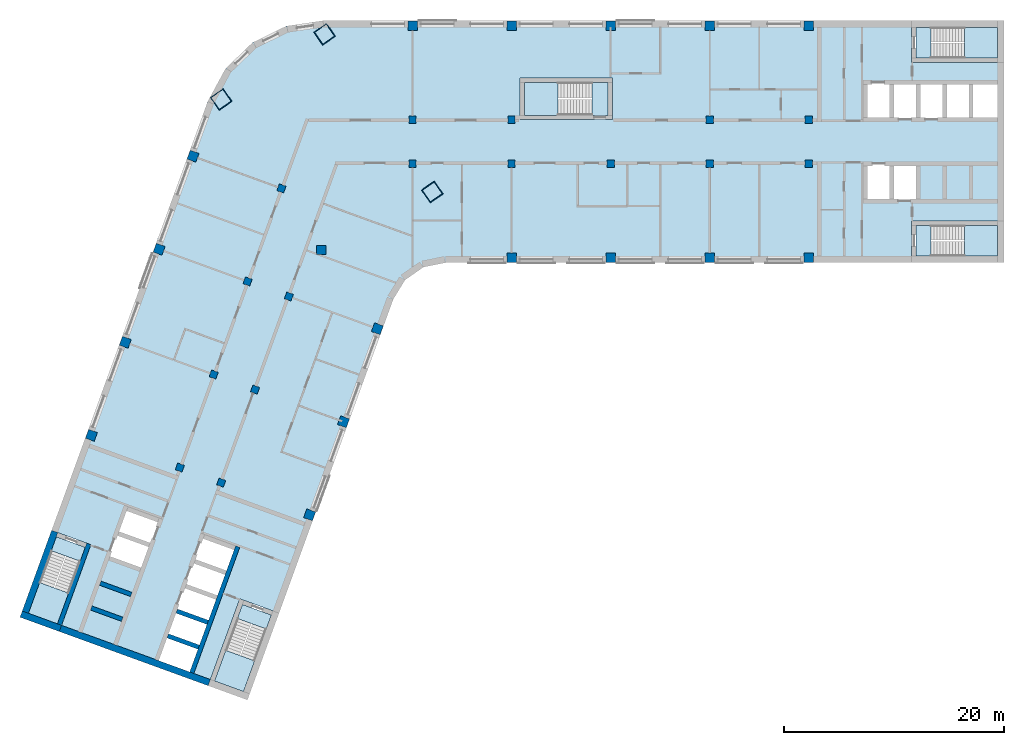
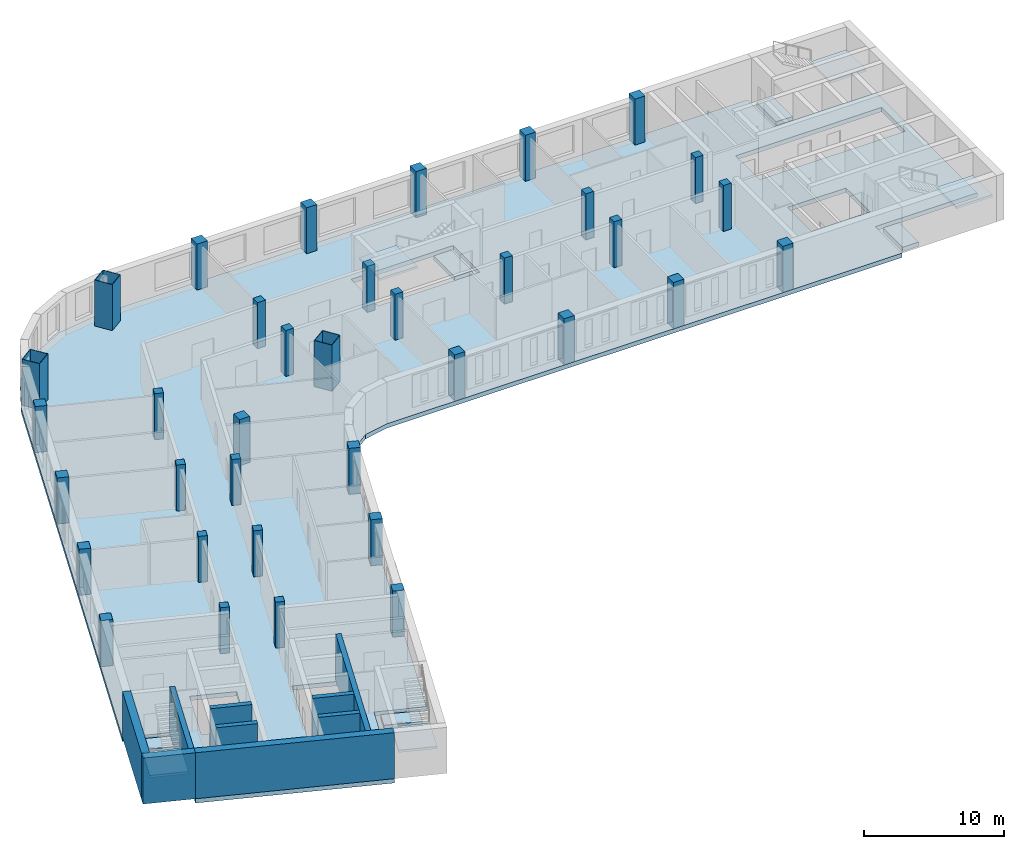
# One storey, part 1 of 8: 36 columns, 11 slabs, 9 walls, 5 elements without a shape of their own.
"""IFC4 building model written with IfcOpenShell, lengths in metres."""

from ifc_helpers import new_model, si_unit, direction, frame, frame_2d, origin, origin_2d, place, context, subcontext, project, spatial, polyline, rectangle, hollow_rectangle, outline, extrude, material, layer, layer_set, material_profile, profile_set, type_object, element, aggregate, save


model = new_model("IFC4")

# Units and contexts
model_context = context("Model", 3, precision=1e-05, world=origin(), true_north=direction((0.0, 1.0)))
body_context = subcontext(model_context, "Body", "Model", "MODEL_VIEW")
ifc_project = project(units=[si_unit("LENGTHUNIT", "METRE"), si_unit("AREAUNIT", "SQUARE_METRE"), si_unit("VOLUMEUNIT", "CUBIC_METRE"), si_unit("PLANEANGLEUNIT", "RADIAN"), si_unit("MASSUNIT", "GRAM", prefix="KILO")], contexts=[model_context])

# Site, building, storey
site_placement = place(None, origin())
site = spatial("IfcSite", under=ifc_project, at=site_placement, CompositionType="ELEMENT")
building_placement = place(site_placement, origin())
building = spatial("IfcBuilding", under=site, at=building_placement, Name="Skarvind Civic Tower", CompositionType="ELEMENT")
storey_placement = place(building_placement, frame((0.0, 0.0, 125.0)))
storey = spatial("IfcBuildingStorey", under=building, at=storey_placement, Name="L29", CompositionType="ELEMENT", Elevation=125.0)

# Columns
ifc_material_1 = material(Name="Concrete C60", Category="concrete")
ifc_material_profile_1 = material_profile(ifc_material_1, rectangle(XDim=0.64990234375, YDim=0.64990234375, at=origin_2d()), Name="RC-650x650")
ifc_profile_set_1 = profile_set([ifc_material_profile_1], Name="Concrete C60")
column_type_1 = type_object("IfcColumnType", Name="Column RC-650x650 C60", PredefinedType="COLUMN", material=ifc_profile_set_1)
for number, where, z_axis, x_axis, name in (
    (1, (54.25, 130.0, 0.0), (0.0, 0.0, 1.0), (1.0, 0.0, 0.0), "Column wing 1 north inner 02 L29"),
    (2, (63.25, 130.0, 0.0), (0.0, 0.0, 1.0), (1.0, 0.0, 0.0), "Column wing 1 north inner 03 L29"),
    (3, (81.25, 130.0, 0.0), (0.0, 0.0, 1.0), (1.0, 0.0, 0.0), "Column wing 1 north inner 05 L29"),
    (4, (90.25, 130.0, 0.0), (0.0, 0.0, 1.0), (1.0, 0.0, 0.0), "Column wing 1 north inner 06 L29"),
    (5, (54.25, 126.0, 0.0), (0.0, 0.0, 1.0), (1.0, 0.0, 0.0), "Column wing 1 south inner 02 L29"),
    (6, (63.25, 126.0, 0.0), (0.0, 0.0, 1.0), (1.0, 0.0, 0.0), "Column wing 1 south inner 03 L29"),
    (7, (72.25, 126.0, 0.0), (0.0, 0.0, 1.0), (1.0, 0.0, 0.0), "Column wing 1 south inner 04 L29"),
    (8, (81.25, 126.0, 0.0), (0.0, 0.0, 1.0), (1.0, 0.0, 0.0), "Column wing 1 south inner 05 L29"),
    (9, (90.25, 126.0, 0.0), (0.0, 0.0, 1.0), (1.0, 0.0, 0.0), "Column wing 1 south inner 06 L29"),
    (10, (43.005615234375, 113.92529296875, 0.0), (0.0, 0.0, 1.0), (-0.342020143326, -0.939692620786, 0.0), "Column wing 2 left inner 02 L29"),
    (11, (39.927490234375, 105.468017578125, 0.0), (0.0, 0.0, 1.0), (-0.342020143326, -0.939692620786, 0.0), "Column wing 2 left inner 03 L29"),
    (12, (36.84912109375, 97.010986328125, 0.0), (0.0, 0.0, 1.0), (-0.342020143326, -0.939692620786, 0.0), "Column wing 2 left inner 04 L29"),
    (13, (42.324951171875, 123.750732421875, 0.0), (0.0, 0.0, 1.0), (-0.342020143326, -0.939692620786, 0.0), "Column wing 2 right inner 01 L29"),
    (14, (39.246826171875, 115.29345703125, 0.0), (0.0, 0.0, 1.0), (-0.342020143326, -0.939692620786, 0.0), "Column wing 2 right inner 02 L29"),
    (15, (36.168701171875, 106.836181640625, 0.0), (0.0, 0.0, 1.0), (-0.342020143326, -0.939692620786, 0.0), "Column wing 2 right inner 03 L29"),
    (16, (33.090576171875, 98.37890625, 0.0), (0.0, 0.0, 1.0), (-0.342020143326, -0.939692620786, 0.0), "Column wing 2 right inner 04 L29"),
):
    element("IfcColumn", number, at=place(storey_placement, frame(where, z_axis=z_axis, x_axis=x_axis)), inside=storey, type_object=column_type_1, Name=name, PredefinedType="COLUMN", context=body_context, shape_type="SweptSolid", body=[
        extrude(rectangle(XDim=0.64990234375, YDim=0.64990234375, at=origin_2d()), origin(), (0.0, 0.0, 1.0), 4.0),
    ])
ifc_material_2 = material(Name="Concrete C80", Category="concrete")
ifc_material_profile_2 = material_profile(ifc_material_2, rectangle(XDim=0.85009765625, YDim=0.85009765625, at=origin_2d()), Name="RC-850x850")
ifc_profile_set_2 = profile_set([ifc_material_profile_2], Name="Concrete C80")
column_type_2 = type_object("IfcColumnType", Name="Column RC-850x850 C80", PredefinedType="COLUMN", material=ifc_profile_set_2)
for number, where, z_axis, x_axis, name in (
    (17, (54.25, 138.550048828125, 0.0), (0.0, 0.0, 1.0), (1.0, 0.0, 0.0), "Column wing 1 north perimeter 02 L29"),
    (18, (63.25, 138.550048828125, 0.0), (0.0, 0.0, 1.0), (1.0, 0.0, 0.0), "Column wing 1 north perimeter 03 L29"),
    (19, (72.25, 138.550048828125, 0.0), (0.0, 0.0, 1.0), (1.0, 0.0, 0.0), "Column wing 1 north perimeter 04 L29"),
    (20, (81.25, 138.550048828125, 0.0), (0.0, 0.0, 1.0), (1.0, 0.0, 0.0), "Column wing 1 north perimeter 05 L29"),
    (21, (90.25, 138.550048828125, 0.0), (0.0, 0.0, 1.0), (1.0, 0.0, 0.0), "Column wing 1 north perimeter 06 L29"),
    (22, (45.95166015625, 118.151611328125, 0.0), (0.0, 0.0, 1.0), (1.0, 0.0, 0.0), "Column wing 1 south perimeter 01 L29"),
    (23, (63.25, 117.449951171875, 0.0), (0.0, 0.0, 1.0), (1.0, 0.0, 0.0), "Column wing 1 south perimeter 03 L29"),
    (24, (72.25, 117.449951171875, 0.0), (0.0, 0.0, 1.0), (1.0, 0.0, 0.0), "Column wing 1 south perimeter 04 L29"),
    (25, (81.25, 117.449951171875, 0.0), (0.0, 0.0, 1.0), (1.0, 0.0, 0.0), "Column wing 1 south perimeter 05 L29"),
    (26, (90.25, 117.449951171875, 0.0), (0.0, 0.0, 1.0), (1.0, 0.0, 0.0), "Column wing 1 south perimeter 06 L29"),
    (27, (51.0400390625, 111.0009765625, 0.0), (0.0, 0.0, 1.0), (-0.342020143326, -0.939692620786, 0.0), "Column wing 2 left perimeter 02 L29"),
    (28, (47.961669921875, 102.5439453125, 0.0), (0.0, 0.0, 1.0), (-0.342020143326, -0.939692620786, 0.0), "Column wing 2 left perimeter 03 L29"),
    (29, (44.883544921875, 94.086669921875, 0.0), (0.0, 0.0, 1.0), (-0.342020143326, -0.939692620786, 0.0), "Column wing 2 left perimeter 04 L29"),
    (30, (34.29052734375, 126.6748046875, 0.0), (0.0, 0.0, 1.0), (-0.342020143326, -0.939692620786, 0.0), "Column wing 2 right perimeter 01 L29"),
    (31, (31.21240234375, 118.2177734375, 0.0), (0.0, 0.0, 1.0), (-0.342020143326, -0.939692620786, 0.0), "Column wing 2 right perimeter 02 L29"),
    (32, (28.13427734375, 109.760498046875, 0.0), (0.0, 0.0, 1.0), (-0.342020143326, -0.939692620786, 0.0), "Column wing 2 right perimeter 03 L29"),
    (33, (25.05615234375, 101.30322265625, 0.0), (0.0, 0.0, 1.0), (-0.342020143326, -0.939692620786, 0.0), "Column wing 2 right perimeter 04 L29"),
):
    element("IfcColumn", number, at=place(storey_placement, frame(where, z_axis=z_axis, x_axis=x_axis)), inside=storey, type_object=column_type_2, Name=name, PredefinedType="COLUMN", context=body_context, shape_type="SweptSolid", body=[
        extrude(rectangle(XDim=0.85009765625, YDim=0.85009765625, at=origin_2d()), origin(), (0.0, 0.0, 1.0), 4.0),
    ])
ifc_material_3 = material(Name="Composite concrete-filled steel tube, Steel SM355 with Concrete C80", Category="concrete")
ifc_material_profile_3 = material_profile(ifc_material_3, hollow_rectangle(XDim=1.39990234375, YDim=1.39990234375, WallThickness=0.0400390625, at=origin_2d()), Name="BOX-1400x1400x40")
ifc_profile_set_3 = profile_set([ifc_material_profile_3], Name="Composite concrete-filled steel tube, Steel SM355 with Concrete C80")
column_type_3 = type_object("IfcColumnType", Name="Mega column BOX-1400x1400x40 filled C80", PredefinedType="COLUMN", material=ifc_profile_set_3)
for number, where, z_axis, x_axis, name in (
    (34, (36.845947265625, 131.837646484375, 0.0), (0.0, 0.0, 1.0), (0.573576436351, -0.819152044289, 0.0), "Mega column 1 L29"),
    (35, (46.2470703125, 137.762451171875, 0.0), (0.0, 0.0, 1.0), (0.573576436351, -0.819152044289, 0.0), "Mega column 2 L29"),
    (36, (56.0361328125, 123.43017578125, 0.0), (0.0, 0.0, 1.0), (0.573576436351, -0.819152044289, 0.0), "Mega column 4 L29"),
):
    element("IfcColumn", number, at=place(storey_placement, frame(where, z_axis=z_axis, x_axis=x_axis)), inside=storey, type_object=column_type_3, Name=name, PredefinedType="COLUMN", context=body_context, shape_type="SweptSolid", body=[
        extrude(hollow_rectangle(XDim=1.39990234375, YDim=1.39990234375, WallThickness=0.0400390625, at=origin_2d()), origin(), (0.0, 0.0, 1.0), 4.0),
    ])

# Slabs
ifc_material_4 = material(Name="Concrete C50", Category="concrete")
ifc_layer_1 = layer(ifc_material_4, 0.375)
ifc_layer_set_1 = layer_set([ifc_layer_1], Name="Floor slab 375 C50")
slab_type_1 = type_object("IfcSlabType", Name="Floor slab 375 C50", PredefinedType="FLOOR", material=ifc_layer_set_1)
slab_1_placement = place(storey_placement, frame((0.0, 0.0, -0.375)))
element("IfcSlab", 37, at=slab_1_placement, inside=storey, type_object=slab_type_1, Name="Floor slab L29 1", PredefinedType="FLOOR", context=body_context, shape_type="SweptSolid", body=[
    extrude(outline(polyline([(99.60009765625, 117.0), (99.60009765625, 120.800048828125), (108.0, 120.800048828125), (108.0, 135.199951171875), (99.60009765625, 135.199951171875), (99.60009765625, 139.0), (46.095458984375, 139.0), (42.739501953125, 138.5009765625), (39.6943359375, 137.005615234375), (37.24755859375, 134.6552734375), (35.630615234375, 131.672607421875), (19.41748046875, 87.126708984375), (21.435302734375, 92.6708984375), (25.006103515625, 91.371337890625), (22.13330078125, 83.477783203125), (36.886474609375, 78.108154296875), (35.664794921875, 78.552734375), (38.53759765625, 86.4462890625), (42.108642578125, 85.146484375), (40.0908203125, 79.602294921875), (40.0908203125, 79.602294921875), (52.493896484375, 113.68017578125), (53.560791015625, 115.421630859375), (55.23388671875, 116.593017578125), (57.235107421875, 117.0), (99.60009765625, 117.0)]), holes=[polyline([(32.625244140625, 85.40576171875), (33.446044921875, 87.660888671875), (34.26708984375, 89.916259765625), (35.087890625, 92.17138671875), (38.28271484375, 91.008544921875), (37.4619140625, 88.75341796875), (36.64111328125, 86.498046875), (35.8203125, 84.242919921875), (35.8203125, 84.242919921875), (34.99951171875, 81.987548828125), (34.178466796875, 79.732421875), (30.983642578125, 80.89501953125), (31.804443359375, 83.150390625), (32.625244140625, 85.40576171875), (32.625244140625, 85.40576171875)]), polyline([(31.3291015625, 93.53955078125), (30.50830078125, 91.2841796875), (29.6875, 89.029052734375), (26.492431640625, 90.19189453125), (27.313232421875, 92.447021484375), (28.134033203125, 94.702392578125), (31.3291015625, 93.53955078125)]), polyline([(64.0, 130.0), (64.0, 133.800048828125), (72.39990234375, 133.800048828125), (72.39990234375, 130.0), (64.0, 130.0)]), polyline([(100.199951171875, 126.0), (100.199951171875, 122.60009765625), (97.800048828125, 122.60009765625), (95.39990234375, 122.60009765625), (95.39990234375, 126.0), (97.800048828125, 126.0), (100.199951171875, 126.0)]), polyline([(100.199951171875, 133.39990234375), (102.60009765625, 133.39990234375), (105.0, 133.39990234375), (107.39990234375, 133.39990234375), (107.39990234375, 130.0), (105.0, 130.0), (102.60009765625, 130.0), (100.199951171875, 130.0), (97.800048828125, 130.0), (95.39990234375, 130.0), (95.39990234375, 133.39990234375), (97.800048828125, 133.39990234375), (100.199951171875, 133.39990234375)])]), origin(), (0.0, 0.0, 1.0), 0.375),
])
ifc_material_5 = material(Name="Concrete C40/50", Category="concrete")
ifc_layer_2 = layer(ifc_material_5, 0.375)
ifc_layer_set_2 = layer_set([ifc_layer_2], Name="Stair floor landing slab 375")
slab_type_2 = type_object("IfcSlabType", Name="Stair floor landing slab 375", PredefinedType="LANDING", material=ifc_layer_set_2)
slab_2_placement = place(storey_placement, frame((0.0, 0.0, -0.375)))
element("IfcSlab", 38, at=slab_2_placement, inside=storey, type_object=slab_type_2, Name="Stair floor landing", PredefinedType="LANDING", context=body_context, shape_type="SweptSolid", body=[
    extrude(outline(polyline([(101.3505859375, 138.400634765625), (101.3505859375, 135.599365234375), (99.99951171875, 135.599365234375), (99.99951171875, 138.400634765625), (101.3505859375, 138.400634765625)])), origin(), (0.0, 0.0, 1.0), 0.375),
])
slab_3_placement = place(storey_placement, frame((0.0, 0.0, -0.375)))
element("IfcSlab", 39, at=slab_3_placement, inside=storey, type_object=slab_type_2, Name="Stair floor landing", PredefinedType="LANDING", context=body_context, shape_type="SweptSolid", body=[
    extrude(outline(polyline([(101.3505859375, 120.400634765625), (101.3505859375, 117.599365234375), (99.99951171875, 117.599365234375), (99.99951171875, 120.400634765625), (101.3505859375, 120.400634765625)])), origin(), (0.0, 0.0, 1.0), 0.375),
])
slab_4_placement = place(storey_placement, frame((0.0, 0.0, -0.375)))
element("IfcSlab", 40, at=slab_4_placement, inside=storey, type_object=slab_type_2, Name="Stair floor landing", PredefinedType="LANDING", context=body_context, shape_type="SweptSolid", body=[
    extrude(outline(polyline([(40.946533203125, 83.70654296875), (38.314208984375, 84.66455078125), (38.7763671875, 85.934326171875), (41.40869140625, 84.976318359375), (40.946533203125, 83.70654296875)])), origin(), (0.0, 0.0, 1.0), 0.375),
])
slab_5_placement = place(storey_placement, frame((0.0, 0.0, -0.375)))
element("IfcSlab", 41, at=slab_5_placement, inside=storey, type_object=slab_type_2, Name="Stair floor landing", PredefinedType="LANDING", context=body_context, shape_type="SweptSolid", body=[
    extrude(outline(polyline([(24.0322265625, 89.863037109375), (21.39990234375, 90.821044921875), (21.862060546875, 92.090576171875), (24.494384765625, 91.132568359375), (24.0322265625, 89.863037109375)])), origin(), (0.0, 0.0, 1.0), 0.375),
])
slab_6_placement = place(storey_placement, frame((0.0, 0.0, -0.375)))
element("IfcSlab", 42, at=slab_6_placement, inside=storey, type_object=slab_type_2, Name="Stair floor landing", PredefinedType="LANDING", context=body_context, shape_type="SweptSolid", body=[
    extrude(outline(polyline([(70.54931640625, 130.3994140625), (70.54931640625, 133.400634765625), (72.00048828125, 133.400634765625), (72.00048828125, 130.3994140625), (70.54931640625, 130.3994140625)])), origin(), (0.0, 0.0, 1.0), 0.375),
])

# Stair, slab
stair_type_1 = type_object("IfcStairType", Name="Exit stair, half-turn, concrete", PredefinedType="HALF_TURN_STAIR", material=ifc_material_5)
stair_1_placement = place(storey_placement, origin())
stair_1 = element("IfcStair", 43, at=stair_1_placement, inside=storey, type_object=stair_type_1, Name="Exit stair C1S", PredefinedType="HALF_TURN_STAIR")
ifc_layer_3 = layer(ifc_material_5, 0.199951171875)
ifc_layer_set_3 = layer_set([ifc_layer_3], Name="Stair half landing slab")
slab_type_3 = type_object("IfcSlabType", Name="Stair half landing slab", PredefinedType="LANDING", material=ifc_layer_set_3)
slab_7_placement = place(storey_placement, frame((0.0, 0.0, 1.800048828125)))
slab_7 = element("IfcSlab", 44, at=slab_7_placement, type_object=slab_type_3, Name="ST-C1S landing 1", PredefinedType="LANDING", context=body_context, shape_type="SweptSolid", body=[
    extrude(outline(polyline([(104.429443359375, 135.599365234375), (104.429443359375, 138.400634765625), (107.400634765625, 138.400634765625), (107.400634765625, 135.599365234375), (104.429443359375, 135.599365234375)])), origin(), (0.0, 0.0, 1.0), 0.199951171875),
])
aggregate(stair_1, [slab_7])

stair_2_placement = place(storey_placement, origin())
stair_2 = element("IfcStair", 45, at=stair_2_placement, inside=storey, type_object=stair_type_1, Name="Exit stair C1N", PredefinedType="HALF_TURN_STAIR")
slab_8_placement = place(storey_placement, frame((0.0, 0.0, 1.800048828125)))
slab_8 = element("IfcSlab", 46, at=slab_8_placement, type_object=slab_type_3, Name="ST-C1N landing 1", PredefinedType="LANDING", context=body_context, shape_type="SweptSolid", body=[
    extrude(outline(polyline([(104.429443359375, 117.599365234375), (104.429443359375, 120.400634765625), (107.400634765625, 120.400634765625), (107.400634765625, 117.599365234375), (104.429443359375, 117.599365234375)])), origin(), (0.0, 0.0, 1.0), 0.199951171875),
])
aggregate(stair_2, [slab_8])

stair_3_placement = place(storey_placement, origin())
stair_3 = element("IfcStair", 47, at=stair_3_placement, inside=storey, type_object=stair_type_1, Name="Exit stair C2S", PredefinedType="HALF_TURN_STAIR")
slab_9_placement = place(storey_placement, frame((0.0, 0.0, 1.800048828125)))
slab_9 = element("IfcSlab", 48, at=slab_9_placement, type_object=slab_type_3, Name="ST-C2S landing 1", PredefinedType="LANDING", context=body_context, shape_type="SweptSolid", body=[
    extrude(outline(polyline([(37.26123046875, 81.771484375), (39.8935546875, 80.8134765625), (38.87744140625, 78.021484375), (36.2451171875, 78.9794921875), (37.26123046875, 81.771484375)])), origin(), (0.0, 0.0, 1.0), 0.199951171875),
])
aggregate(stair_3, [slab_9])

stair_4_placement = place(storey_placement, origin())
stair_4 = element("IfcStair", 49, at=stair_4_placement, inside=storey, type_object=stair_type_1, Name="Exit stair C2N", PredefinedType="HALF_TURN_STAIR")
slab_10_placement = place(storey_placement, frame((0.0, 0.0, 1.800048828125)))
slab_10 = element("IfcSlab", 50, at=slab_10_placement, type_object=slab_type_3, Name="ST-C2N landing 1", PredefinedType="LANDING", context=body_context, shape_type="SweptSolid", body=[
    extrude(outline(polyline([(20.346923828125, 87.927734375), (22.97900390625, 86.9697265625), (21.962890625, 84.177734375), (19.33056640625, 85.1357421875), (20.346923828125, 87.927734375)])), origin(), (0.0, 0.0, 1.0), 0.199951171875),
])
aggregate(stair_4, [slab_10])

stair_type_2 = type_object("IfcStairType", Name="Exit stair 1450, half-turn, concrete", PredefinedType="HALF_TURN_STAIR", material=ifc_material_5)
stair_5_placement = place(storey_placement, origin())
stair_5 = element("IfcStair", 51, at=stair_5_placement, inside=storey, type_object=stair_type_2, Name="Exit stair CM", PredefinedType="HALF_TURN_STAIR")
slab_11_placement = place(storey_placement, frame((0.0, 0.0, 1.800048828125)))
slab_11 = element("IfcSlab", 52, at=slab_11_placement, type_object=slab_type_3, Name="ST-CM landing 1", PredefinedType="LANDING", context=body_context, shape_type="SweptSolid", body=[
    extrude(outline(polyline([(67.470703125, 133.400634765625), (67.470703125, 130.3994140625), (64.3994140625, 130.3994140625), (64.3994140625, 133.400634765625), (67.470703125, 133.400634765625)])), origin(), (0.0, 0.0, 1.0), 0.199951171875),
])
aggregate(stair_5, [slab_11])

# Walls
ifc_layer_4 = layer(ifc_material_2, 0.39990234375)
ifc_layer_set_4 = layer_set([ifc_layer_4], Name="Core wall 400 C80")
wall_type_1 = type_object("IfcWallType", Name="Core wall 400 C80", PredefinedType="SHEAR", material=ifc_layer_set_4)
wall_1_placement = place(storey_placement, frame((22.150390625, 84.110107421875, 0.0), z_axis=(0.0, 0.0, 1.0), x_axis=(0.342016982193, 0.939693771338, 0.0)))
element("IfcWall", 53, at=wall_1_placement, inside=storey, type_object=wall_type_1, Name="Core wall C2 north stair inner L29", PredefinedType="SHEAR", context=body_context, shape_type="SweptSolid", body=[
    extrude(rectangle(XDim=7.800048828125, YDim=0.39990234375, at=frame_2d((3.89990234375, 0.0))), origin(), (0.0, 0.0, 1.0), 4.0),
])
wall_2_placement = place(storey_placement, frame((34.178466796875, 79.732177734375, 0.0), z_axis=(0.0, 0.0, 1.0), x_axis=(0.342014590177, 0.939694641948, 0.0)))
element("IfcWall", 54, at=wall_2_placement, inside=storey, type_object=wall_type_1, Name="Core wall C2 south lift row back L29", PredefinedType="SHEAR", context=body_context, shape_type="SweptSolid", body=[
    extrude(rectangle(XDim=12.2001953125, YDim=0.39990234375, at=frame_2d((6.10009765625, 0.0))), origin(), (0.0, 0.0, 1.0), 4.0),
])
for number, where, z_axis, x_axis, name in (
    (55, (34.8115234375, 82.055908203125, 0.0), (0.0, 0.0, 1.0), (-0.939686455819, 0.342037080957, 0.0), "Core wall C2 south lift row division 1 L29"),
    (56, (35.63232421875, 84.311279296875, 0.0), (0.0, 0.0, 1.0), (-0.939712609717, 0.341965219194, 0.0), "Core wall C2 south lift row division 2 L29"),
    (57, (27.857666015625, 84.5869140625, 0.0), (0.0, 0.0, 1.0), (-0.939686455819, 0.342037080957, 0.0), "Core wall C2 north lift row division 1 L29"),
):
    element("IfcWall", number, at=place(storey_placement, frame(where, z_axis=z_axis, x_axis=x_axis)), inside=storey, type_object=wall_type_1, Name=name, PredefinedType="SHEAR", context=body_context, shape_type="SweptSolid", body=[
        extrude(rectangle(XDim=3.0, YDim=0.39990234375, at=frame_2d((1.5, 0.0))), origin(), (0.0, 0.0, 1.0), 4.0),
    ])
wall_3_placement = place(storey_placement, frame((28.678466796875, 86.842041015625, 0.0), z_axis=(0.0, 0.0, 1.0), x_axis=(-0.939676934218, 0.342063238742, 0.0)))
element("IfcWall", 58, at=wall_3_placement, inside=storey, type_object=wall_type_1, Name="Core wall C2 north lift row division 2 L29", PredefinedType="SHEAR", context=body_context, shape_type="SweptSolid", body=[
    extrude(rectangle(XDim=2.999755859375, YDim=0.39990234375, at=frame_2d((1.5, 0.0))), origin(), (0.0, 0.0, 1.0), 4.0),
])
ifc_layer_5 = layer(ifc_material_2, 0.60009765625)
ifc_layer_set_5 = layer_set([ifc_layer_5], Name="Core wall 600 C80")
wall_type_2 = type_object("IfcWallType", Name="Core wall 600 C80", PredefinedType="SHEAR", material=ifc_layer_set_5)
wall_4_placement = place(storey_placement, frame((35.767333984375, 78.834716796875, 0.0), z_axis=(0.0, 0.0, 1.0), x_axis=(-0.939692894512, 0.342019391267, 0.0)))
element("IfcWall", 59, at=wall_4_placement, inside=storey, type_object=wall_type_2, Name="Core wall C2 tip between the stairs L29", PredefinedType="SHEAR", context=body_context, shape_type="SweptSolid", body=[
    extrude(rectangle(XDim=14.39990234375, YDim=0.60009765625, at=frame_2d((7.199951171875, 0.0))), origin(), (0.0, 0.0, 1.0), 4.0),
])
wall_5_placement = place(storey_placement, frame((22.23583984375, 83.759765625, 0.0), z_axis=(0.0, 0.0, 1.0), x_axis=(-0.939680822529, 0.342052557032, 0.0)))
element("IfcWall", 60, at=wall_5_placement, inside=storey, type_object=wall_type_2, Name="Core wall C2 tip at the north stair L29", PredefinedType="SHEAR", context=body_context, shape_type="SweptSolid", body=[
    extrude(rectangle(XDim=3.800048828125, YDim=0.60009765625, at=frame_2d((1.89990234375, 0.0))), origin(), (0.0, 0.0, 1.0), 4.0),
])
wall_6_placement = place(storey_placement, frame((19.049560546875, 85.23876953125, 0.0), z_axis=(0.0, 0.0, 1.0), x_axis=(0.342016982193, 0.939693771338, 0.0)))
element("IfcWall", 61, at=wall_6_placement, inside=storey, type_object=wall_type_2, Name="Core wall C2 north side at the stair L29", PredefinedType="SHEAR", context=body_context, shape_type="SweptSolid", body=[
    extrude(rectangle(XDim=7.800048828125, YDim=0.60009765625, at=frame_2d((3.89990234375, 0.0))), origin(), (0.0, 0.0, 1.0), 4.0),
])

save(model, "model.ifc")
